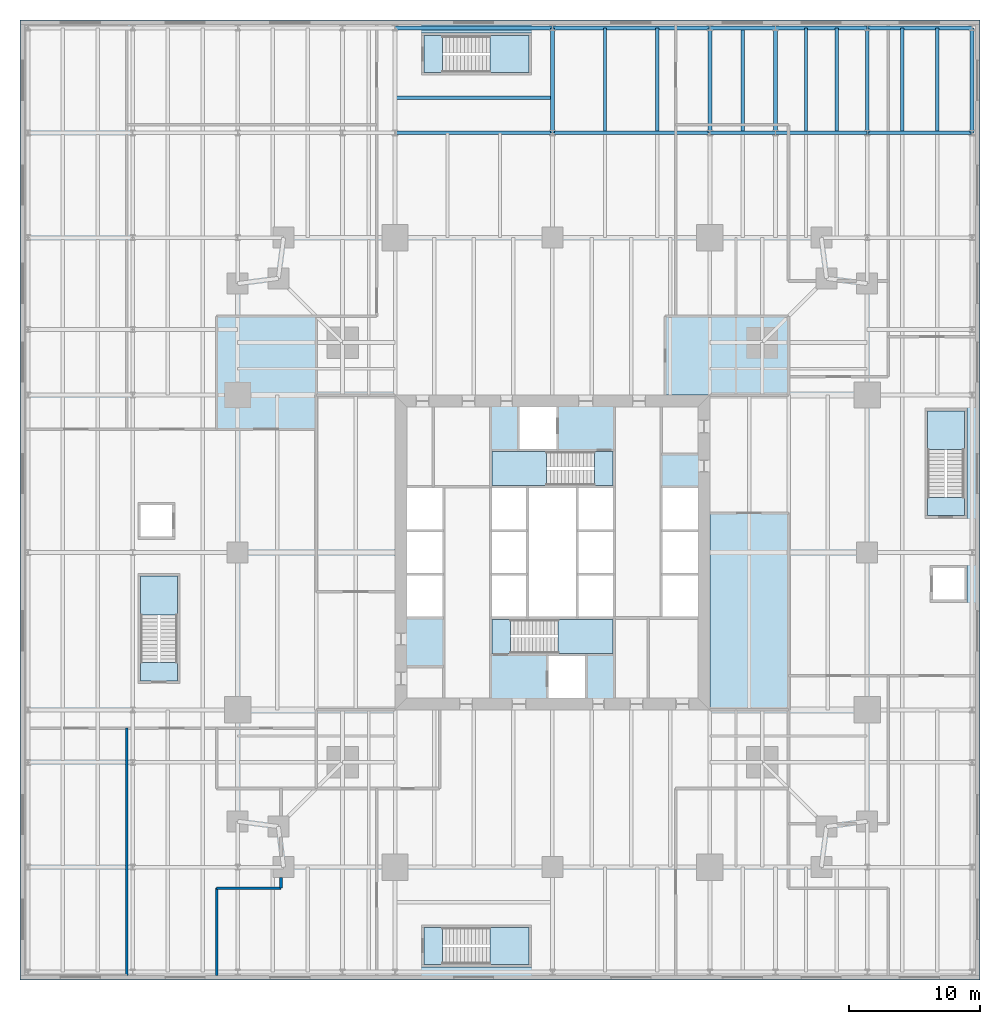
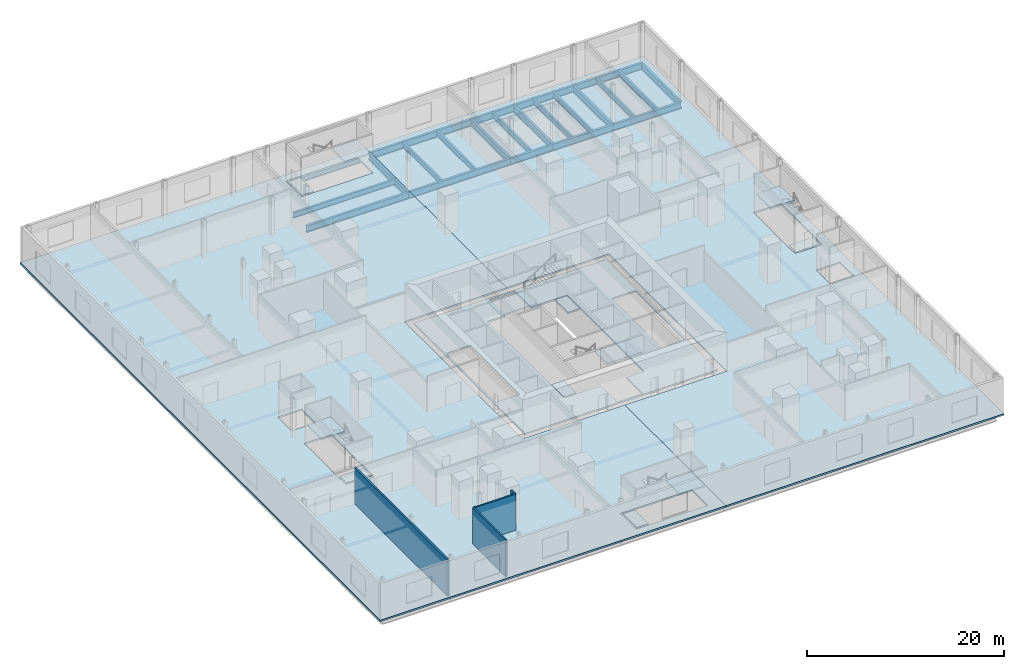
# One storey, part 8 of 16: 23 beams, 15 slabs, 4 walls, 6 elements without a shape of their own.
"""IFC4 building model written with IfcOpenShell, lengths in metres."""

from ifc_helpers import new_model, si_unit, direction, frame, frame_2d, origin, origin_2d, place, context, subcontext, project, spatial, polyline, rectangle, i_section, outline, extrude, material, layer, layer_set, material_profile, profile_set, type_object, element, aggregate, save


model = new_model("IFC4")

# Units and contexts
model_context = context("Model", 3, precision=1e-05, world=origin(), true_north=direction((0.0, 1.0)))
body_context = subcontext(model_context, "Body", "Model", "MODEL_VIEW")
ifc_project = project(units=[si_unit("LENGTHUNIT", "METRE"), si_unit("AREAUNIT", "SQUARE_METRE"), si_unit("VOLUMEUNIT", "CUBIC_METRE"), si_unit("PLANEANGLEUNIT", "RADIAN"), si_unit("MASSUNIT", "GRAM", prefix="KILO")], contexts=[model_context])

# Site, building, storey
site_placement = place(None, origin())
site = spatial("IfcSite", under=ifc_project, at=site_placement, CompositionType="ELEMENT")
building_placement = place(site_placement, origin())
building = spatial("IfcBuilding", under=site, at=building_placement, Name="Fenwick Lantern Interchange", CompositionType="ELEMENT")
storey_placement = place(building_placement, frame((0.0, 0.0, 16.60009765625)))
storey = spatial("IfcBuildingStorey", under=building, at=storey_placement, Name="L03", CompositionType="ELEMENT", Elevation=16.60009765625)

# Beams
ifc_material_1 = material(Name="Steel ASTM A992 Grade 50", Category="steel")
ifc_material_profile_1 = material_profile(ifc_material_1, i_section(OverallWidth=0.2919921875, OverallDepth=0.845703125, WebThickness=0.015380859375, FlangeThickness=0.0244140625, at=origin_2d()), Name="W33X141")
ifc_profile_set_1 = profile_set([ifc_material_profile_1], Name="Steel ASTM A992 Grade 50")
beam_type_1 = type_object("IfcBeamType", Name="MOMENT-CONNECTED PODIUM GIRDER W33X141", PredefinedType="BEAM", material=ifc_profile_set_1)
for number, where, z_axis, x_axis, name in (
    (1, (13.0, 57.0, -0.623046875), (1.0, 0.0, 0.0), (0.0, 1.0, 0.0), "L03/PF/G039"),
    (2, (25.0, 57.0, -0.623046875), (1.0, 0.0, 0.0), (0.0, 1.0, 0.0), "L03/PF/G040"),
):
    element("IfcBeam", number, at=place(storey_placement, frame(where, z_axis=z_axis, x_axis=x_axis)), inside=storey, type_object=beam_type_1, Name=name, PredefinedType="BEAM", context=body_context, shape_type="SweptSolid", body=[
        extrude(i_section(OverallWidth=0.2919921875, OverallDepth=0.845703125, WebThickness=0.015380859375, FlangeThickness=0.0244140625, at=origin_2d()), origin(), (0.0, 0.0, 1.0), 12.0),
    ])
beam_1_placement = place(storey_placement, frame((37.0, 57.0, -0.623046875), z_axis=(1.0, 0.0, 0.0), x_axis=(0.0, 1.0, 0.0)))
element("IfcBeam", 3, at=beam_1_placement, inside=storey, type_object=beam_type_1, Name="L03/PF/G041", PredefinedType="BEAM", context=body_context, shape_type="SweptSolid", body=[
    extrude(i_section(OverallWidth=0.2919921875, OverallDepth=0.845703125, WebThickness=0.015380859375, FlangeThickness=0.0244140625, at=origin_2d()), origin(), (0.0, 0.0, 1.0), 5.0),
])
beam_2_placement = place(storey_placement, frame((42.0, 57.0, -0.623046875), z_axis=(1.0, 0.0, 0.0), x_axis=(0.0, 1.0, 0.0)))
element("IfcBeam", 4, at=beam_2_placement, inside=storey, type_object=beam_type_1, Name="L03/PF/G042", PredefinedType="BEAM", context=body_context, shape_type="SweptSolid", body=[
    extrude(i_section(OverallWidth=0.2919921875, OverallDepth=0.845703125, WebThickness=0.015380859375, FlangeThickness=0.0244140625, at=origin_2d()), origin(), (0.0, 0.0, 1.0), 7.0),
])
beam_3_placement = place(storey_placement, frame((49.0, 57.0, -0.623046875), z_axis=(1.0, 0.0, 0.0), x_axis=(0.0, 1.0, 0.0)))
element("IfcBeam", 5, at=beam_3_placement, inside=storey, type_object=beam_type_1, Name="L03/PF/G043", PredefinedType="BEAM", context=body_context, shape_type="SweptSolid", body=[
    extrude(i_section(OverallWidth=0.2919921875, OverallDepth=0.845703125, WebThickness=0.015380859375, FlangeThickness=0.0244140625, at=origin_2d()), origin(), (0.0, 0.0, 1.0), 8.0),
])
for number, where, z_axis, x_axis, name in (
    (6, (13.0, 65.0, -0.623046875), (1.0, 0.0, 0.0), (0.0, 1.0, 0.0), "L03/PF/G048"),
    (7, (25.0, 65.0, -0.623046875), (1.0, 0.0, 0.0), (0.0, 1.0, 0.0), "L03/PF/G049"),
):
    element("IfcBeam", number, at=place(storey_placement, frame(where, z_axis=z_axis, x_axis=x_axis)), inside=storey, type_object=beam_type_1, Name=name, PredefinedType="BEAM", context=body_context, shape_type="SweptSolid", body=[
        extrude(i_section(OverallWidth=0.2919921875, OverallDepth=0.845703125, WebThickness=0.015380859375, FlangeThickness=0.0244140625, at=origin_2d()), origin(), (0.0, 0.0, 1.0), 12.0),
    ])
beam_4_placement = place(storey_placement, frame((37.0, 65.0, -0.623046875), z_axis=(1.0, 0.0, 0.0), x_axis=(0.0, 1.0, 0.0)))
element("IfcBeam", 8, at=beam_4_placement, inside=storey, type_object=beam_type_1, Name="L03/PF/G050", PredefinedType="BEAM", context=body_context, shape_type="SweptSolid", body=[
    extrude(i_section(OverallWidth=0.2919921875, OverallDepth=0.845703125, WebThickness=0.015380859375, FlangeThickness=0.0244140625, at=origin_2d()), origin(), (0.0, 0.0, 1.0), 5.0),
])
beam_5_placement = place(storey_placement, frame((42.0, 65.0, -0.623046875), z_axis=(1.0, 0.0, 0.0), x_axis=(0.0, 1.0, 0.0)))
element("IfcBeam", 9, at=beam_5_placement, inside=storey, type_object=beam_type_1, Name="L03/PF/G051", PredefinedType="BEAM", context=body_context, shape_type="SweptSolid", body=[
    extrude(i_section(OverallWidth=0.2919921875, OverallDepth=0.845703125, WebThickness=0.015380859375, FlangeThickness=0.0244140625, at=origin_2d()), origin(), (0.0, 0.0, 1.0), 7.0),
])
for number, where, z_axis, x_axis, name in (
    (10, (49.0, 65.0, -0.623046875), (1.0, 0.0, 0.0), (0.0, 1.0, 0.0), "L03/PF/G052"),
    (11, (25.0, 57.0, -0.623046875), (0.0, 1.0, 0.0), (-1.0, 0.0, 0.0), "L03/PF/G084"),
    (12, (37.0, 57.0, -0.623046875), (0.0, 1.0, 0.0), (-1.0, 0.0, 0.0), "L03/PF/G087"),
    (13, (42.0, 57.0, -0.623046875), (0.0, 1.0, 0.0), (-1.0, 0.0, 0.0), "L03/PF/G090"),
    (14, (49.0, 57.0, -0.623046875), (0.0, 1.0, 0.0), (-1.0, 0.0, 0.0), "L03/PF/G095"),
    (15, (57.0, 57.0, -0.623046875), (0.0, 1.0, 0.0), (-1.0, 0.0, 0.0), "L03/PF/G104"),
):
    element("IfcBeam", number, at=place(storey_placement, frame(where, z_axis=z_axis, x_axis=x_axis)), inside=storey, type_object=beam_type_1, Name=name, PredefinedType="BEAM", context=body_context, shape_type="SweptSolid", body=[
        extrude(i_section(OverallWidth=0.2919921875, OverallDepth=0.845703125, WebThickness=0.015380859375, FlangeThickness=0.0244140625, at=origin_2d()), origin(), (0.0, 0.0, 1.0), 8.0),
    ])
ifc_material_profile_2 = material_profile(ifc_material_1, i_section(OverallWidth=0.25390625, OverallDepth=0.683349609375, WebThickness=0.012451171875, FlangeThickness=0.01904296875, at=origin_2d()), Name="W27X94")
ifc_profile_set_2 = profile_set([ifc_material_profile_2], Name="Steel ASTM A992 Grade 50")
beam_type_2 = type_object("IfcBeamType", Name="PODIUM BEAM W27X94", PredefinedType="JOIST", material=ifc_profile_set_2)
beam_6_placement = place(storey_placement, frame((13.0, 59.666748046875, -0.541748046875), z_axis=(1.0, 0.0, 0.0), x_axis=(0.0, 1.0, 0.0)))
element("IfcBeam", 16, at=beam_6_placement, inside=storey, type_object=beam_type_2, Name="L03/PF/J151", PredefinedType="JOIST", context=body_context, shape_type="SweptSolid", body=[
    extrude(i_section(OverallWidth=0.25390625, OverallDepth=0.683349609375, WebThickness=0.012451171875, FlangeThickness=0.01904296875, at=origin_2d()), origin(), (0.0, 0.0, 1.0), 12.0),
])
for number, where, z_axis, x_axis, name in (
    (17, (29.0, 57.14599609375, -0.541748046875), (0.0, 1.0, 0.0), (-1.0, 0.0, 0.0), "L03/PF/J156"),
    (18, (33.0, 57.14599609375, -0.541748046875), (0.0, 1.0, 0.0), (-1.0, 0.0, 0.0), "L03/PF/J157"),
    (19, (39.5, 57.14599609375, -0.541748046875), (0.0, 1.0, 0.0), (-1.0, 0.0, 0.0), "L03/PF/J160"),
    (20, (44.333251953125, 57.14599609375, -0.541748046875), (0.0, 1.0, 0.0), (-1.0, 0.0, 0.0), "L03/PF/J165"),
    (21, (46.666748046875, 57.14599609375, -0.541748046875), (0.0, 1.0, 0.0), (-1.0, 0.0, 0.0), "L03/PF/J166"),
    (22, (51.666748046875, 57.14599609375, -0.541748046875), (0.0, 1.0, 0.0), (-1.0, 0.0, 0.0), "L03/PF/J181"),
    (23, (54.333251953125, 57.14599609375, -0.541748046875), (0.0, 1.0, 0.0), (-1.0, 0.0, 0.0), "L03/PF/J182"),
):
    element("IfcBeam", number, at=place(storey_placement, frame(where, z_axis=z_axis, x_axis=x_axis)), inside=storey, type_object=beam_type_2, Name=name, PredefinedType="JOIST", context=body_context, shape_type="SweptSolid", body=[
        extrude(i_section(OverallWidth=0.25390625, OverallDepth=0.683349609375, WebThickness=0.012451171875, FlangeThickness=0.01904296875, at=origin_2d()), origin(), (0.0, 0.0, 1.0), 7.85400390625),
    ])

# Slabs
ifc_material_2 = material(Name="Concrete f'c 35 MPa", Category="concrete")
ifc_layer_1 = layer(ifc_material_2, 0.199951171875)
ifc_layer_set_1 = layer_set([ifc_layer_1], Name="CORE FLOOR SLAB 200")
slab_type_1 = type_object("IfcSlabType", Name="CORE FLOOR SLAB 200", PredefinedType="FLOOR", material=ifc_layer_set_1)
slab_1_placement = place(storey_placement, frame((0.0, 0.0, -0.2001953125)))
element("IfcSlab", 24, at=slab_1_placement, inside=storey, type_object=slab_type_1, Name="L03/SLAB/CORE", PredefinedType="FLOOR", context=body_context, shape_type="SweptSolid", body=[
    extrude(outline(polyline([(13.699951171875, 36.300048828125), (36.300048828125, 36.300048828125), (36.300048828125, 13.699951171875), (13.699951171875, 13.699951171875), (13.699951171875, 36.300048828125)]), holes=[polyline([(13.89990234375, 20.0), (16.699951171875, 20.0), (16.699951171875, 23.333251953125), (16.699951171875, 26.666748046875), (16.699951171875, 30.0), (13.89990234375, 30.0), (13.89990234375, 26.666748046875), (13.89990234375, 23.333251953125), (13.89990234375, 20.0)]), polyline([(20.300048828125, 20.0), (20.300048828125, 17.199951171875), (24.60009765625, 17.199951171875), (24.60009765625, 13.89990234375), (27.60009765625, 13.89990234375), (27.60009765625, 17.199951171875), (29.699951171875, 17.199951171875), (29.699951171875, 20.0), (29.699951171875, 23.333251953125), (29.699951171875, 26.666748046875), (29.699951171875, 30.0), (29.699951171875, 32.800048828125), (25.39990234375, 32.800048828125), (25.39990234375, 36.10009765625), (22.39990234375, 36.10009765625), (22.39990234375, 32.800048828125), (20.300048828125, 32.800048828125), (20.300048828125, 30.0), (20.300048828125, 26.666748046875), (20.300048828125, 23.333251953125), (20.300048828125, 20.0)]), polyline([(33.300048828125, 23.333251953125), (33.300048828125, 20.0), (36.10009765625, 20.0), (36.10009765625, 23.333251953125), (36.10009765625, 26.666748046875), (36.10009765625, 30.0), (33.300048828125, 30.0), (33.300048828125, 26.666748046875), (33.300048828125, 23.333251953125)])]), origin(), (0.0, 0.0, 1.0), 0.2001953125),
])
ifc_material_3 = material(Name="Concrete f'c 35 MPa", Category="concrete")
ifc_layer_2 = layer(ifc_material_3, 0.199951171875)
ifc_layer_set_2 = layer_set([ifc_layer_2], Name="Concrete f'c 35 MPa")
slab_type_2 = type_object("IfcSlabType", Name="FLOOR SLAB 200", PredefinedType="FLOOR", material=ifc_layer_set_2)
slab_2_placement = place(storey_placement, frame((0.0, 0.0, -0.2001953125)))
element("IfcSlab", 25, at=slab_2_placement, inside=storey, type_object=slab_type_2, Name="L03/SLAB/FW", PredefinedType="FLOOR", context=body_context, shape_type="SweptSolid", body=[
    extrude(outline(polyline([(-15.60009765625, -7.60009765625), (-15.60009765625, 65.60009765625), (25.0, 65.60009765625), (25.0, 37.0), (13.0, 37.0), (13.0, 13.0), (25.0, 13.0), (25.0, -7.60009765625), (-15.60009765625, -7.60009765625)]), holes=[polyline([(23.39990234375, 61.39990234375), (23.39990234375, 64.60009765625), (15.0, 64.60009765625), (15.0, 61.39990234375), (23.39990234375, 61.39990234375)]), polyline([(23.39990234375, -6.60009765625), (23.39990234375, -3.39990234375), (15.0, -3.39990234375), (15.0, -6.60009765625), (23.39990234375, -6.60009765625)]), polyline([(-3.39990234375, 15.0), (-3.39990234375, 23.39990234375), (-6.60009765625, 23.39990234375), (-6.60009765625, 15.0), (-3.39990234375, 15.0)]), polyline([(-3.800048828125, 26.0), (-3.800048828125, 28.800048828125), (-6.60009765625, 28.800048828125), (-6.60009765625, 26.0), (-3.800048828125, 26.0)])]), origin(), (0.0, 0.0, 1.0), 0.2001953125),
])
slab_3_placement = place(storey_placement, frame((0.0, 0.0, -0.2001953125)))
element("IfcSlab", 26, at=slab_3_placement, inside=storey, type_object=slab_type_2, Name="L03/SLAB/FE", PredefinedType="FLOOR", context=body_context, shape_type="SweptSolid", body=[
    extrude(outline(polyline([(57.60009765625, 65.60009765625), (57.60009765625, -7.60009765625), (25.0, -7.60009765625), (25.0, 13.0), (37.0, 13.0), (37.0, 37.0), (25.0, 37.0), (25.0, 65.60009765625), (57.60009765625, 65.60009765625)]), holes=[polyline([(56.60009765625, 27.60009765625), (56.60009765625, 36.0), (53.39990234375, 36.0), (53.39990234375, 27.60009765625), (56.60009765625, 27.60009765625)]), polyline([(56.60009765625, 21.199951171875), (56.60009765625, 24.0), (53.800048828125, 24.0), (53.800048828125, 21.199951171875), (56.60009765625, 21.199951171875)])]), origin(), (0.0, 0.0, 1.0), 0.2001953125),
])

# Stair, slabs
ifc_material_4 = material(Name="Precast concrete f'c 35 MPa", Category="concrete")
stair_type_1 = type_object("IfcStairType", Name="EXIT STAIR 1200", PredefinedType="HALF_TURN_STAIR", material=ifc_material_4)
stair_1_placement = place(storey_placement, origin())
stair_1 = element("IfcStair", 27, at=stair_1_placement, inside=storey, type_object=stair_type_1, Name="Exit stair ST1", PredefinedType="HALF_TURN_STAIR")
ifc_layer_3 = layer(ifc_material_2, 0.199951171875)
ifc_layer_set_3 = layer_set([ifc_layer_3], Name="STAIR LANDING 200")
slab_type_3 = type_object("IfcSlabType", Name="STAIR LANDING 200", PredefinedType="LANDING", material=ifc_layer_set_3)
slab_4_placement = place(storey_placement, frame((0.0, 0.0, 2.199951171875)))
slab_4 = element("IfcSlab", 28, at=slab_4_placement, type_object=slab_type_3, Name="ST1 landing 1", PredefinedType="LANDING", context=body_context, shape_type="SweptSolid", body=[
    extrude(outline(polyline([(25.43994140625, 17.300048828125), (29.60009765625, 17.300048828125), (29.60009765625, 19.89990234375), (25.43994140625, 19.89990234375), (25.43994140625, 17.300048828125)])), origin(), (0.0, 0.0, 1.0), 0.199951171875),
])
slab_5_placement = place(storey_placement, frame((0.0, 0.0, -0.2001953125)))
slab_5 = element("IfcSlab", 29, at=slab_5_placement, type_object=slab_type_3, Name="ST1 landing 2", PredefinedType="LANDING", context=body_context, shape_type="SweptSolid", body=[
    extrude(outline(polyline([(20.39990234375, 17.300048828125), (21.800048828125, 17.300048828125), (21.800048828125, 19.89990234375), (20.39990234375, 19.89990234375), (20.39990234375, 17.300048828125)])), origin(), (0.0, 0.0, 1.0), 0.2001953125),
])
aggregate(stair_1, [slab_4, slab_5])

stair_2_placement = place(storey_placement, origin())
stair_2 = element("IfcStair", 30, at=stair_2_placement, inside=storey, type_object=stair_type_1, Name="Exit stair ST2", PredefinedType="HALF_TURN_STAIR")
slab_6_placement = place(storey_placement, frame((0.0, 0.0, 2.199951171875)))
slab_6 = element("IfcSlab", 31, at=slab_6_placement, type_object=slab_type_3, Name="ST2 landing 1", PredefinedType="LANDING", context=body_context, shape_type="SweptSolid", body=[
    extrude(outline(polyline([(24.56005859375, 32.699951171875), (20.39990234375, 32.699951171875), (20.39990234375, 30.10009765625), (24.56005859375, 30.10009765625), (24.56005859375, 32.699951171875)])), origin(), (0.0, 0.0, 1.0), 0.199951171875),
])
slab_7_placement = place(storey_placement, frame((0.0, 0.0, -0.2001953125)))
slab_7 = element("IfcSlab", 32, at=slab_7_placement, type_object=slab_type_3, Name="ST2 landing 2", PredefinedType="LANDING", context=body_context, shape_type="SweptSolid", body=[
    extrude(outline(polyline([(29.60009765625, 32.699951171875), (28.199951171875, 32.699951171875), (28.199951171875, 30.10009765625), (29.60009765625, 30.10009765625), (29.60009765625, 32.699951171875)])), origin(), (0.0, 0.0, 1.0), 0.2001953125),
])
aggregate(stair_2, [slab_6, slab_7])

stair_type_2 = type_object("IfcStairType", Name="EXIT STAIR 1300", PredefinedType="HALF_TURN_STAIR", material=ifc_material_4)
stair_3_placement = place(storey_placement, origin())
stair_3 = element("IfcStair", 33, at=stair_3_placement, inside=storey, type_object=stair_type_2, Name="Exit stair PS1", PredefinedType="HALF_TURN_STAIR")
slab_8_placement = place(storey_placement, frame((0.0, 0.0, 2.199951171875)))
slab_8 = element("IfcSlab", 34, at=slab_8_placement, type_object=slab_type_3, Name="PS1 landing 1", PredefinedType="LANDING", context=body_context, shape_type="SweptSolid", body=[
    extrude(outline(polyline([(20.239990234375, 61.60009765625), (23.199951171875, 61.60009765625), (23.199951171875, 64.39990234375), (20.239990234375, 64.39990234375), (20.239990234375, 61.60009765625)])), origin(), (0.0, 0.0, 1.0), 0.199951171875),
])
slab_9_placement = place(storey_placement, frame((0.0, 0.0, -0.2001953125)))
slab_9 = element("IfcSlab", 35, at=slab_9_placement, type_object=slab_type_3, Name="PS1 landing 2", PredefinedType="LANDING", context=body_context, shape_type="SweptSolid", body=[
    extrude(outline(polyline([(15.199951171875, 61.60009765625), (16.60009765625, 61.60009765625), (16.60009765625, 64.39990234375), (15.199951171875, 64.39990234375), (15.199951171875, 61.60009765625)])), origin(), (0.0, 0.0, 1.0), 0.2001953125),
])
aggregate(stair_3, [slab_8, slab_9])

stair_4_placement = place(storey_placement, origin())
stair_4 = element("IfcStair", 36, at=stair_4_placement, inside=storey, type_object=stair_type_2, Name="Exit stair PS2", PredefinedType="HALF_TURN_STAIR")
slab_10_placement = place(storey_placement, frame((0.0, 0.0, 2.199951171875)))
slab_10 = element("IfcSlab", 37, at=slab_10_placement, type_object=slab_type_3, Name="PS2 landing 1", PredefinedType="LANDING", context=body_context, shape_type="SweptSolid", body=[
    extrude(outline(polyline([(20.239990234375, -6.39990234375), (23.199951171875, -6.39990234375), (23.199951171875, -3.60009765625), (20.239990234375, -3.60009765625), (20.239990234375, -6.39990234375)])), origin(), (0.0, 0.0, 1.0), 0.199951171875),
])
slab_11_placement = place(storey_placement, frame((0.0, 0.0, -0.2001953125)))
slab_11 = element("IfcSlab", 38, at=slab_11_placement, type_object=slab_type_3, Name="PS2 landing 2", PredefinedType="LANDING", context=body_context, shape_type="SweptSolid", body=[
    extrude(outline(polyline([(15.199951171875, -6.39990234375), (16.60009765625, -6.39990234375), (16.60009765625, -3.60009765625), (15.199951171875, -3.60009765625), (15.199951171875, -6.39990234375)])), origin(), (0.0, 0.0, 1.0), 0.2001953125),
])
aggregate(stair_4, [slab_10, slab_11])

stair_5_placement = place(storey_placement, origin())
stair_5 = element("IfcStair", 39, at=stair_5_placement, inside=storey, type_object=stair_type_2, Name="Exit stair PS3", PredefinedType="HALF_TURN_STAIR")
slab_12_placement = place(storey_placement, frame((0.0, 0.0, 2.199951171875)))
slab_12 = element("IfcSlab", 40, at=slab_12_placement, type_object=slab_type_3, Name="PS3 landing 1", PredefinedType="LANDING", context=body_context, shape_type="SweptSolid", body=[
    extrude(outline(polyline([(-6.39990234375, 20.239990234375), (-3.60009765625, 20.239990234375), (-3.60009765625, 23.199951171875), (-6.39990234375, 23.199951171875), (-6.39990234375, 20.239990234375)])), origin(), (0.0, 0.0, 1.0), 0.199951171875),
])
slab_13_placement = place(storey_placement, frame((0.0, 0.0, -0.2001953125)))
slab_13 = element("IfcSlab", 41, at=slab_13_placement, type_object=slab_type_3, Name="PS3 landing 2", PredefinedType="LANDING", context=body_context, shape_type="SweptSolid", body=[
    extrude(outline(polyline([(-6.39990234375, 15.199951171875), (-3.60009765625, 15.199951171875), (-3.60009765625, 16.60009765625), (-6.39990234375, 16.60009765625), (-6.39990234375, 15.199951171875)])), origin(), (0.0, 0.0, 1.0), 0.2001953125),
])
aggregate(stair_5, [slab_12, slab_13])

stair_6_placement = place(storey_placement, origin())
stair_6 = element("IfcStair", 42, at=stair_6_placement, inside=storey, type_object=stair_type_2, Name="Exit stair PS4", PredefinedType="HALF_TURN_STAIR")
slab_14_placement = place(storey_placement, frame((0.0, 0.0, 2.199951171875)))
slab_14 = element("IfcSlab", 43, at=slab_14_placement, type_object=slab_type_3, Name="PS4 landing 1", PredefinedType="LANDING", context=body_context, shape_type="SweptSolid", body=[
    extrude(outline(polyline([(53.60009765625, 32.840087890625), (56.39990234375, 32.840087890625), (56.39990234375, 35.800048828125), (53.60009765625, 35.800048828125), (53.60009765625, 32.840087890625)])), origin(), (0.0, 0.0, 1.0), 0.199951171875),
])
slab_15_placement = place(storey_placement, frame((0.0, 0.0, -0.2001953125)))
slab_15 = element("IfcSlab", 44, at=slab_15_placement, type_object=slab_type_3, Name="PS4 landing 2", PredefinedType="LANDING", context=body_context, shape_type="SweptSolid", body=[
    extrude(outline(polyline([(53.60009765625, 27.800048828125), (56.39990234375, 27.800048828125), (56.39990234375, 29.199951171875), (53.60009765625, 29.199951171875), (53.60009765625, 27.800048828125)])), origin(), (0.0, 0.0, 1.0), 0.2001953125),
])
aggregate(stair_6, [slab_14, slab_15])

# Walls
ifc_material_5 = material(Name="Gypsum board on steel studs, 1 hour", Category="steel")
ifc_layer_4 = layer(ifc_material_5, 0.199951171875)
ifc_layer_set_4 = layer_set([ifc_layer_4], Name="ROOM WALL 200")
wall_type = type_object("IfcWallType", Name="ROOM WALL 200", PredefinedType="PARTITIONING", material=ifc_layer_set_4)
wall_1_placement = place(storey_placement, frame((-7.449951171875, -7.25, 0.0), z_axis=(0.0, 0.0, 1.0), x_axis=(0.0, 1.0, 0.0)))
element("IfcWall", 45, at=wall_1_placement, inside=storey, type_object=wall_type, Name="L03/W/POD/X-7.45-1", PredefinedType="PARTITIONING", context=body_context, shape_type="SweptSolid", body=[
    extrude(rectangle(XDim=18.85009765625, YDim=0.199951171875, at=frame_2d((9.425048828125, 0.0))), origin(), (0.0, 0.0, 1.0), 4.5),
])
wall_2_placement = place(storey_placement, frame((-0.60009765625, -7.25, 0.0), z_axis=(0.0, 0.0, 1.0), x_axis=(0.0, 1.0, 0.0)))
element("IfcWall", 46, at=wall_2_placement, inside=storey, type_object=wall_type, Name="L03/W/POD/X-0.6-1", PredefinedType="PARTITIONING", context=body_context, shape_type="SweptSolid", body=[
    extrude(rectangle(XDim=6.64990234375, YDim=0.199951171875, at=frame_2d((3.324951171875, 0.0))), origin(), (0.0, 0.0, 1.0), 4.5),
])
wall_3_placement = place(storey_placement, frame((4.300048828125, -0.60009765625, 0.0), z_axis=(0.0, 0.0, 1.0), x_axis=(0.0, 1.0, 0.0)))
element("IfcWall", 47, at=wall_3_placement, inside=storey, type_object=wall_type, Name="L03/W/POD/X4.3-1", PredefinedType="PARTITIONING", context=body_context, shape_type="SweptSolid", body=[
    extrude(rectangle(XDim=0.800048828125, YDim=0.199951171875, at=frame_2d((0.39990234375, 0.0))), origin(), (0.0, 0.0, 1.0), 4.5),
])
wall_4_placement = place(storey_placement, frame((-0.60009765625, -0.60009765625, 0.0), z_axis=(0.0, 0.0, 1.0), x_axis=(1.0, 0.0, 0.0)))
element("IfcWall", 48, at=wall_4_placement, inside=storey, type_object=wall_type, Name="L03/W/POD/Y-0.6-1", PredefinedType="PARTITIONING", context=body_context, shape_type="SweptSolid", body=[
    extrude(rectangle(XDim=4.900146484375, YDim=0.199951171875, at=frame_2d((2.4501953125, 0.0))), origin(), (0.0, 0.0, 1.0), 4.5),
])

save(model, "model.ifc")
